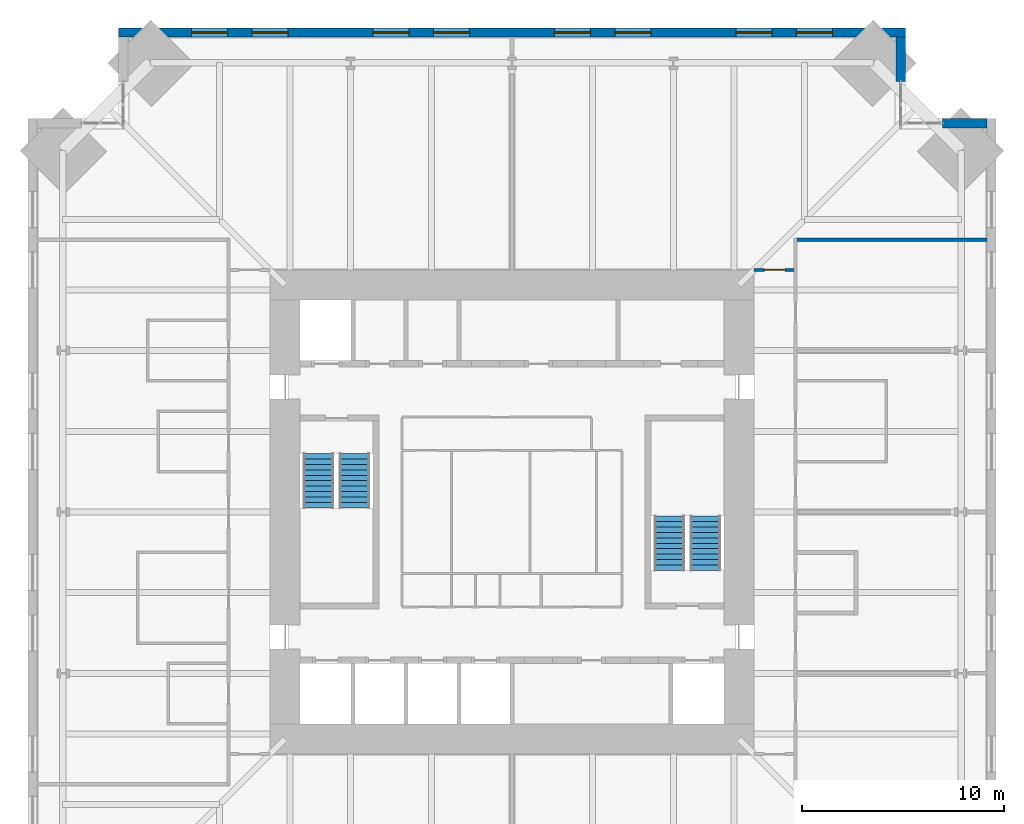
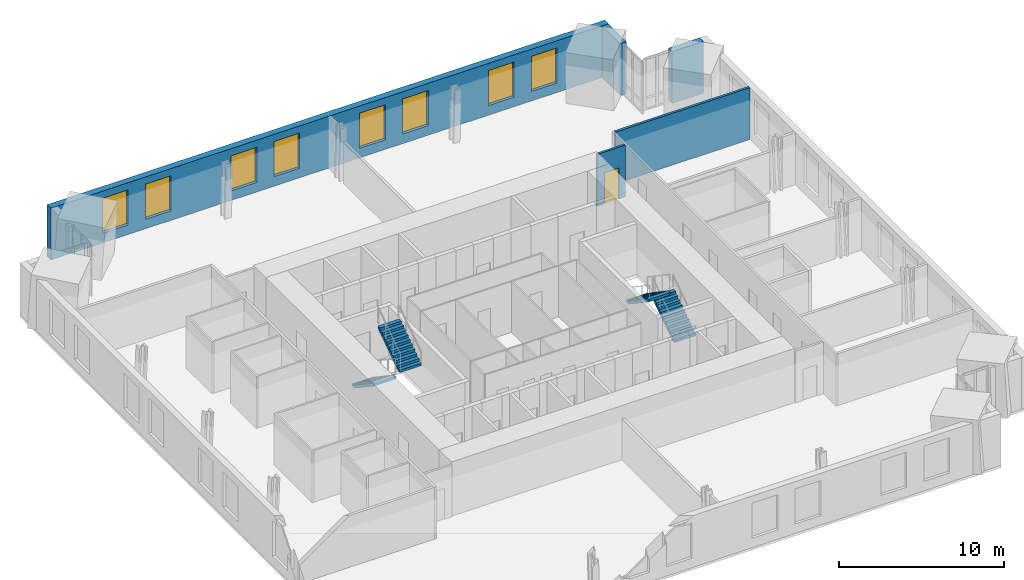
# One storey, part 14 of 15: 8 windows, 5 walls, 4 stair flights, 1 door, 9 openings, 2 elements without a shape of their own.
"""IFC4 building model written with IfcOpenShell, lengths in metres."""

from ifc_helpers import new_model, si_unit, direction, frame, frame_2d, origin, place, context, subcontext, project, spatial, polyline, rectangle, outline, extrude, material, layer, layer_set, type_object, element, fill, aggregate, save


model = new_model("IFC4")

# Units and contexts
model_context = context("Model", 3, precision=1e-05, world=origin(), true_north=direction((0.0, 1.0)))
body_context = subcontext(model_context, "Body", "Model", "MODEL_VIEW")
ifc_project = project(units=[si_unit("LENGTHUNIT", "METRE"), si_unit("AREAUNIT", "SQUARE_METRE"), si_unit("VOLUMEUNIT", "CUBIC_METRE"), si_unit("PLANEANGLEUNIT", "RADIAN"), si_unit("MASSUNIT", "GRAM", prefix="KILO")], contexts=[model_context])

# Site, building, storey
site_placement = place(None, origin())
site = spatial("IfcSite", under=ifc_project, at=site_placement, CompositionType="ELEMENT")
building_placement = place(site_placement, origin())
building = spatial("IfcBuilding", under=site, at=building_placement, Name="Peilmerk Tower", CompositionType="ELEMENT")
storey_placement = place(building_placement, frame((0.0, 0.0, 213.800048828125)))
storey = spatial("IfcBuildingStorey", under=building, at=storey_placement, Name="L46", CompositionType="ELEMENT", Elevation=213.800048828125)

# Wall, openings, windows
ifc_material_1 = material(Name="Precast concrete C45/55, board-marked finish", Category="concrete")
ifc_layer_1 = layer(ifc_material_1, 0.449951171875)
ifc_layer_set_1 = layer_set([ifc_layer_1], Name="Precast concrete C45/55, board-marked finish")
wall_type_1 = type_object("IfcWallType", Name="EW1 450 precast concrete facade wall, board-marked", PredefinedType="SOLIDWALL", material=ifc_layer_set_1)
wall_1_placement = place(storey_placement, frame((19.5, 23.77490234375, 0.0), z_axis=(0.0, 0.0, 1.0), x_axis=(-1.0, 0.0, 0.0)))
wall_1 = element("IfcWall", 1, at=wall_1_placement, inside=storey, type_object=wall_type_1, Name="Facade wall N L46", PredefinedType="SOLIDWALL", context=body_context, shape_type="SweptSolid", body=[
    extrude(rectangle(XDim=39.0, YDim=0.449951171875, at=frame_2d((19.5, 0.0))), origin(), (0.0, 0.0, 1.0), 3.829833984375),
])
opening_1_placement = place(wall_1_placement, frame((3.60009765625, 0.0, 0.699951171875)))
opening_1 = element("IfcOpeningElement", 2, at=opening_1_placement, cuts=wall_1, Name="Opening W1", PredefinedType="OPENING", context=body_context, shape_type="SweptSolid", body=[
    extrude(rectangle(XDim=1.800048828125, YDim=2.60009765625, at=frame_2d((0.89990234375, 1.300048828125))), frame((0.0, 0.23486328125, 0.0), z_axis=(0.0, -1.0, 0.0), x_axis=(1.0, 0.0, 0.0)), (0.0, 0.0, 1.0), 0.469970703125),
])
opening_2_placement = place(wall_1_placement, frame((6.60009765625, 0.0, 0.699951171875)))
opening_2 = element("IfcOpeningElement", 3, at=opening_2_placement, cuts=wall_1, Name="Opening W1", PredefinedType="OPENING", context=body_context, shape_type="SweptSolid", body=[
    extrude(rectangle(XDim=1.800048828125, YDim=2.60009765625, at=frame_2d((0.89990234375, 1.300048828125))), frame((0.0, 0.23486328125, 0.0), z_axis=(0.0, -1.0, 0.0), x_axis=(1.0, 0.0, 0.0)), (0.0, 0.0, 1.0), 0.469970703125),
])
opening_3_placement = place(wall_1_placement, frame((12.60009765625, 0.0, 0.699951171875)))
opening_3 = element("IfcOpeningElement", 4, at=opening_3_placement, cuts=wall_1, Name="Opening W1", PredefinedType="OPENING", context=body_context, shape_type="SweptSolid", body=[
    extrude(rectangle(XDim=1.800048828125, YDim=2.60009765625, at=frame_2d((0.89990234375, 1.300048828125))), frame((0.0, 0.23486328125, 0.0), z_axis=(0.0, -1.0, 0.0), x_axis=(1.0, 0.0, 0.0)), (0.0, 0.0, 1.0), 0.469970703125),
])
opening_4_placement = place(wall_1_placement, frame((15.60009765625, 0.0, 0.699951171875)))
opening_4 = element("IfcOpeningElement", 5, at=opening_4_placement, cuts=wall_1, Name="Opening W1", PredefinedType="OPENING", context=body_context, shape_type="SweptSolid", body=[
    extrude(rectangle(XDim=1.800048828125, YDim=2.60009765625, at=frame_2d((0.89990234375, 1.300048828125))), frame((0.0, 0.23486328125, 0.0), z_axis=(0.0, -1.0, 0.0), x_axis=(1.0, 0.0, 0.0)), (0.0, 0.0, 1.0), 0.469970703125),
])
opening_5_placement = place(wall_1_placement, frame((21.60009765625, 0.0, 0.699951171875)))
opening_5 = element("IfcOpeningElement", 6, at=opening_5_placement, cuts=wall_1, Name="Opening W1", PredefinedType="OPENING", context=body_context, shape_type="SweptSolid", body=[
    extrude(rectangle(XDim=1.800048828125, YDim=2.60009765625, at=frame_2d((0.89990234375, 1.300048828125))), frame((0.0, 0.23486328125, 0.0), z_axis=(0.0, -1.0, 0.0), x_axis=(1.0, 0.0, 0.0)), (0.0, 0.0, 1.0), 0.469970703125),
])
opening_6_placement = place(wall_1_placement, frame((24.60009765625, 0.0, 0.699951171875)))
opening_6 = element("IfcOpeningElement", 7, at=opening_6_placement, cuts=wall_1, Name="Opening W1", PredefinedType="OPENING", context=body_context, shape_type="SweptSolid", body=[
    extrude(rectangle(XDim=1.800048828125, YDim=2.60009765625, at=frame_2d((0.89990234375, 1.300048828125))), frame((0.0, 0.23486328125, 0.0), z_axis=(0.0, -1.0, 0.0), x_axis=(1.0, 0.0, 0.0)), (0.0, 0.0, 1.0), 0.469970703125),
])
opening_7_placement = place(wall_1_placement, frame((30.60009765625, 0.0, 0.699951171875)))
opening_7 = element("IfcOpeningElement", 8, at=opening_7_placement, cuts=wall_1, Name="Opening W1", PredefinedType="OPENING", context=body_context, shape_type="SweptSolid", body=[
    extrude(rectangle(XDim=1.800048828125, YDim=2.60009765625, at=frame_2d((0.89990234375, 1.300048828125))), frame((0.0, 0.23486328125, 0.0), z_axis=(0.0, -1.0, 0.0), x_axis=(1.0, 0.0, 0.0)), (0.0, 0.0, 1.0), 0.469970703125),
])
opening_8_placement = place(wall_1_placement, frame((33.60009765625, 0.0, 0.699951171875)))
opening_8 = element("IfcOpeningElement", 9, at=opening_8_placement, cuts=wall_1, Name="Opening W1", PredefinedType="OPENING", context=body_context, shape_type="SweptSolid", body=[
    extrude(rectangle(XDim=1.800048828125, YDim=2.60009765625, at=frame_2d((0.89990234375, 1.300048828125))), frame((0.0, 0.23486328125, 0.0), z_axis=(0.0, -1.0, 0.0), x_axis=(1.0, 0.0, 0.0)), (0.0, 0.0, 1.0), 0.469970703125),
])
ifc_material_2 = material(Name="Aluminium frame, clear double glazing", Category="aluminium")
window_type = type_object("IfcWindowType", Name="W1 1800x2600 office window", PartitioningType="SINGLE_PANEL", PredefinedType="WINDOW", material=ifc_material_2)
window_1_placement = place(opening_1_placement, origin())
window_1 = element("IfcWindow", 10, at=window_1_placement, inside=storey, type_object=window_type, Name="Window W1 L46", OverallHeight=2.60009765625, OverallWidth=1.800048828125, PartitioningType="SINGLE_PANEL", PredefinedType="WINDOW", context=body_context, shape_type="SweptSolid", body=[
    extrude(rectangle(XDim=1.800048828125, YDim=2.60009765625, at=frame_2d((0.89990234375, 1.300048828125))), frame((0.0, 0.030029296875, 0.0), z_axis=(0.0, -1.0, 0.0), x_axis=(1.0, 0.0, 0.0)), (0.0, 0.0, 1.0), 0.06005859375),
])
fill(opening_1, window_1)
window_2_placement = place(opening_2_placement, origin())
window_2 = element("IfcWindow", 11, at=window_2_placement, inside=storey, type_object=window_type, Name="Window W1 L46", OverallHeight=2.60009765625, OverallWidth=1.800048828125, PartitioningType="SINGLE_PANEL", PredefinedType="WINDOW", context=body_context, shape_type="SweptSolid", body=[
    extrude(rectangle(XDim=1.800048828125, YDim=2.60009765625, at=frame_2d((0.89990234375, 1.300048828125))), frame((0.0, 0.030029296875, 0.0), z_axis=(0.0, -1.0, 0.0), x_axis=(1.0, 0.0, 0.0)), (0.0, 0.0, 1.0), 0.06005859375),
])
fill(opening_2, window_2)
window_3_placement = place(opening_3_placement, origin())
window_3 = element("IfcWindow", 12, at=window_3_placement, inside=storey, type_object=window_type, Name="Window W1 L46", OverallHeight=2.60009765625, OverallWidth=1.800048828125, PartitioningType="SINGLE_PANEL", PredefinedType="WINDOW", context=body_context, shape_type="SweptSolid", body=[
    extrude(rectangle(XDim=1.800048828125, YDim=2.60009765625, at=frame_2d((0.89990234375, 1.300048828125))), frame((0.0, 0.030029296875, 0.0), z_axis=(0.0, -1.0, 0.0), x_axis=(1.0, 0.0, 0.0)), (0.0, 0.0, 1.0), 0.06005859375),
])
fill(opening_3, window_3)
window_4_placement = place(opening_4_placement, origin())
window_4 = element("IfcWindow", 13, at=window_4_placement, inside=storey, type_object=window_type, Name="Window W1 L46", OverallHeight=2.60009765625, OverallWidth=1.800048828125, PartitioningType="SINGLE_PANEL", PredefinedType="WINDOW", context=body_context, shape_type="SweptSolid", body=[
    extrude(rectangle(XDim=1.800048828125, YDim=2.60009765625, at=frame_2d((0.89990234375, 1.300048828125))), frame((0.0, 0.030029296875, 0.0), z_axis=(0.0, -1.0, 0.0), x_axis=(1.0, 0.0, 0.0)), (0.0, 0.0, 1.0), 0.06005859375),
])
fill(opening_4, window_4)
window_5_placement = place(opening_5_placement, origin())
window_5 = element("IfcWindow", 14, at=window_5_placement, inside=storey, type_object=window_type, Name="Window W1 L46", OverallHeight=2.60009765625, OverallWidth=1.800048828125, PartitioningType="SINGLE_PANEL", PredefinedType="WINDOW", context=body_context, shape_type="SweptSolid", body=[
    extrude(rectangle(XDim=1.800048828125, YDim=2.60009765625, at=frame_2d((0.89990234375, 1.300048828125))), frame((0.0, 0.030029296875, 0.0), z_axis=(0.0, -1.0, 0.0), x_axis=(1.0, 0.0, 0.0)), (0.0, 0.0, 1.0), 0.06005859375),
])
fill(opening_5, window_5)
window_6_placement = place(opening_6_placement, origin())
window_6 = element("IfcWindow", 15, at=window_6_placement, inside=storey, type_object=window_type, Name="Window W1 L46", OverallHeight=2.60009765625, OverallWidth=1.800048828125, PartitioningType="SINGLE_PANEL", PredefinedType="WINDOW", context=body_context, shape_type="SweptSolid", body=[
    extrude(rectangle(XDim=1.800048828125, YDim=2.60009765625, at=frame_2d((0.89990234375, 1.300048828125))), frame((0.0, 0.030029296875, 0.0), z_axis=(0.0, -1.0, 0.0), x_axis=(1.0, 0.0, 0.0)), (0.0, 0.0, 1.0), 0.06005859375),
])
fill(opening_6, window_6)
window_7_placement = place(opening_7_placement, origin())
window_7 = element("IfcWindow", 16, at=window_7_placement, inside=storey, type_object=window_type, Name="Window W1 L46", OverallHeight=2.60009765625, OverallWidth=1.800048828125, PartitioningType="SINGLE_PANEL", PredefinedType="WINDOW", context=body_context, shape_type="SweptSolid", body=[
    extrude(rectangle(XDim=1.800048828125, YDim=2.60009765625, at=frame_2d((0.89990234375, 1.300048828125))), frame((0.0, 0.030029296875, 0.0), z_axis=(0.0, -1.0, 0.0), x_axis=(1.0, 0.0, 0.0)), (0.0, 0.0, 1.0), 0.06005859375),
])
fill(opening_7, window_7)
window_8_placement = place(opening_8_placement, origin())
window_8 = element("IfcWindow", 17, at=window_8_placement, inside=storey, type_object=window_type, Name="Window W1 L46", OverallHeight=2.60009765625, OverallWidth=1.800048828125, PartitioningType="SINGLE_PANEL", PredefinedType="WINDOW", context=body_context, shape_type="SweptSolid", body=[
    extrude(rectangle(XDim=1.800048828125, YDim=2.60009765625, at=frame_2d((0.89990234375, 1.300048828125))), frame((0.0, 0.030029296875, 0.0), z_axis=(0.0, -1.0, 0.0), x_axis=(1.0, 0.0, 0.0)), (0.0, 0.0, 1.0), 0.06005859375),
])
fill(opening_8, window_8)

# Walls
for number, where, z_axis, x_axis, name in (
    (18, (19.27490234375, 21.353759765625, 0.0), (0.0, 0.0, 1.0), (0.0, 1.0, 0.0), "Facade wall NEA L46"),
    (19, (21.353759765625, 19.27490234375, 0.0), (0.0, 0.0, 1.0), (1.0, 0.0, 0.0), "Facade wall NEB L46"),
):
    element("IfcWall", number, at=place(storey_placement, frame(where, z_axis=z_axis, x_axis=x_axis)), inside=storey, type_object=wall_type_1, Name=name, PredefinedType="SOLIDWALL", context=body_context, shape_type="SweptSolid", body=[
        extrude(rectangle(XDim=2.1962890625, YDim=0.449951171875, at=frame_2d((1.09814453125, 0.0))), origin(), (0.0, 0.0, 1.0), 3.829833984375),
    ])

# Wall, opening, door
ifc_material_3 = material(Name="Calcium silicate block", Category="masonry")
ifc_layer_2 = layer(ifc_material_3, 0.14990234375)
ifc_layer_set_2 = layer_set([ifc_layer_2], Name="Calcium silicate block")
wall_type_2 = type_object("IfcWallType", Name="IW1 150 corridor partition, EI 60", PredefinedType="PARTITIONING", material=ifc_layer_set_2)
wall_2_placement = place(storey_placement, frame((12.0, 12.0, 0.0), z_axis=(0.0, 0.0, 1.0), x_axis=(1.0, 0.0, 0.0)))
wall_2 = element("IfcWall", 20, at=wall_2_placement, inside=storey, type_object=wall_type_2, Name="Corridor wall NE L46", PredefinedType="PARTITIONING", context=body_context, shape_type="SweptSolid", body=[
    extrude(rectangle(XDim=1.97509765625, YDim=0.14990234375, at=frame_2d((0.987548828125, 0.0))), origin(), (0.0, 0.0, 1.0), 3.829833984375),
])
opening_9_placement = place(wall_2_placement, frame((0.52490234375, 0.0, 0.0)))
opening_9 = element("IfcOpeningElement", 21, at=opening_9_placement, cuts=wall_2, Name="Opening D1", PredefinedType="OPENING", context=body_context, shape_type="SweptSolid", body=[
    extrude(rectangle(XDim=1.0, YDim=2.300048828125, at=frame_2d((0.5, 1.14990234375))), frame((0.0, 0.0849609375, 0.0), z_axis=(0.0, -1.0, 0.0), x_axis=(1.0, 0.0, 0.0)), (0.0, 0.0, 1.0), 0.169921875),
])
ifc_material_4 = material(Name="Timber door in steel frame", Category="steel")
door_type = type_object("IfcDoorType", Name="D1 1000x2300 room door, EI2 30", OperationType="SINGLE_SWING_LEFT", PredefinedType="DOOR", material=ifc_material_4)
door_placement = place(opening_9_placement, origin())
door = element("IfcDoor", 22, at=door_placement, inside=storey, type_object=door_type, Name="Door Project room L46", OperationType="SINGLE_SWING_LEFT", OverallHeight=2.300048828125, OverallWidth=1.0, PredefinedType="DOOR", context=body_context, shape_type="SweptSolid", body=[
    extrude(rectangle(XDim=1.0, YDim=2.300048828125, at=frame_2d((0.5, 1.14990234375))), frame((0.0, 0.02490234375, 0.0), z_axis=(0.0, -1.0, 0.0), x_axis=(1.0, 0.0, 0.0)), (0.0, 0.0, 1.0), 0.050048828125),
])
fill(opening_9, door)

# Wall
ifc_layer_3 = layer(ifc_material_3, 0.175048828125)
ifc_layer_set_3 = layer_set([ifc_layer_3], Name="Calcium silicate block")
wall_type_3 = type_object("IfcWallType", Name="IW8 175 tenant separating wall, EI 60", PredefinedType="PARTITIONING", material=ifc_layer_set_3)
wall_3_placement = place(storey_placement, frame((14.125, 13.5, 0.0), z_axis=(0.0, 0.0, 1.0), x_axis=(1.0, 0.0, 0.0)))
element("IfcWall", 23, at=wall_3_placement, inside=storey, type_object=wall_type_3, Name="Tenant separating wall NE L46", PredefinedType="PARTITIONING", context=body_context, shape_type="SweptSolid", body=[
    extrude(rectangle(XDim=9.425048828125, YDim=0.175048828125, at=frame_2d((4.71240234375, 0.0))), origin(), (0.0, 0.0, 1.0), 3.829833984375),
])

# Stair, stair flights
ifc_material_5 = material(Name="Precast concrete C45/55", Category="concrete")
stair_type_1 = type_object("IfcStairType", Name="ST1 22 risers of 181.8", PredefinedType="HALF_TURN_STAIR", material=ifc_material_5)
stair_1_placement = place(storey_placement, origin())
stair_1 = element("IfcStair", 24, at=stair_1_placement, inside=storey, type_object=stair_type_1, Name="Stair 1 L46 to L47", PredefinedType="HALF_TURN_STAIR")
stair_flight_type = type_object("IfcStairFlightType", Name="SF11 flight, 11 risers of 181.8", PredefinedType="STRAIGHT", material=ifc_material_5)
stair_flight_1_placement = place(storey_placement, frame((-9.60009765625, 2.89990234375, 0.0), z_axis=(0.0, 0.0, 1.0), x_axis=(0.0, -1.0, 0.0)))
stair_flight_1 = element("IfcStairFlight", 25, at=stair_flight_1_placement, type_object=stair_flight_type, Name="ST1 flight 1", NumberOfRisers=11, NumberOfTreads=10, PredefinedType="STRAIGHT", RiserHeight=0.181818182, TreadLength=0.27, context=body_context, shape_type="SweptSolid", body=[
    extrude(outline(polyline([(0.0, 0.0), (0.0, 0.181884765625), (0.27001953125, 0.181884765625), (0.27001953125, 0.363525390625), (0.5400390625, 0.363525390625), (0.5400390625, 0.54541015625), (0.81005859375, 0.54541015625), (0.81005859375, 0.727294921875), (1.080078125, 0.727294921875), (1.080078125, 0.9091796875), (1.35009765625, 0.9091796875), (1.35009765625, 1.0908203125), (1.6201171875, 1.0908203125), (1.6201171875, 1.272705078125), (1.889892578125, 1.272705078125), (1.889892578125, 1.45458984375), (2.159912109375, 1.45458984375), (2.159912109375, 1.636474609375), (2.429931640625, 1.636474609375), (2.429931640625, 1.818115234375), (2.699951171875, 1.818115234375), (2.699951171875, 2.0), (2.699951171875, 1.637451171875), (0.268310546875, 0.0), (0.0, 0.0)])), frame((0.0, 0.75, 0.0), z_axis=(0.0, -1.0, 0.0), x_axis=(1.0, 0.0, 0.0)), (0.0, 0.0, 1.0), 1.5),
])
stair_flight_2_placement = place(storey_placement, frame((-7.800048828125, 0.199951171875, 2.0), z_axis=(0.0, 0.0, 1.0), x_axis=(0.0, 1.0, 0.0)))
stair_flight_2 = element("IfcStairFlight", 26, at=stair_flight_2_placement, type_object=stair_flight_type, Name="ST1 flight 2", NumberOfRisers=11, NumberOfTreads=10, PredefinedType="STRAIGHT", RiserHeight=0.181818182, TreadLength=0.27, context=body_context, shape_type="SweptSolid", body=[
    extrude(outline(polyline([(0.0, 0.0), (0.0, 0.181884765625), (0.27001953125, 0.181884765625), (0.27001953125, 0.363525390625), (0.5400390625, 0.363525390625), (0.5400390625, 0.54541015625), (0.81005859375, 0.54541015625), (0.81005859375, 0.727294921875), (1.080078125, 0.727294921875), (1.080078125, 0.9091796875), (1.35009765625, 0.9091796875), (1.35009765625, 1.0908203125), (1.6201171875, 1.0908203125), (1.6201171875, 1.272705078125), (1.889892578125, 1.272705078125), (1.889892578125, 1.45458984375), (2.159912109375, 1.45458984375), (2.159912109375, 1.636474609375), (2.429931640625, 1.636474609375), (2.429931640625, 1.818115234375), (2.699951171875, 1.818115234375), (2.699951171875, 2.0), (2.699951171875, 1.637451171875), (0.268310546875, 0.0), (0.0, 0.0)])), frame((0.0, 0.75, 0.0), z_axis=(0.0, -1.0, 0.0), x_axis=(1.0, 0.0, 0.0)), (0.0, 0.0, 1.0), 1.5),
])
aggregate(stair_1, [stair_flight_1, stair_flight_2])

stair_type_2 = type_object("IfcStairType", Name="ST2 22 risers of 181.8", PredefinedType="HALF_TURN_STAIR", material=ifc_material_5)
stair_2_placement = place(storey_placement, origin())
stair_2 = element("IfcStair", 27, at=stair_2_placement, inside=storey, type_object=stair_type_2, Name="Stair 2 L46 to L47", PredefinedType="HALF_TURN_STAIR")
stair_flight_3_placement = place(storey_placement, frame((9.60009765625, -2.89990234375, 0.0), z_axis=(0.0, 0.0, 1.0), x_axis=(0.0, 1.0, 0.0)))
stair_flight_3 = element("IfcStairFlight", 28, at=stair_flight_3_placement, type_object=stair_flight_type, Name="ST2 flight 1", NumberOfRisers=11, NumberOfTreads=10, PredefinedType="STRAIGHT", RiserHeight=0.181818182, TreadLength=0.27, context=body_context, shape_type="SweptSolid", body=[
    extrude(outline(polyline([(0.0, 0.0), (0.0, 0.181884765625), (0.27001953125, 0.181884765625), (0.27001953125, 0.363525390625), (0.5400390625, 0.363525390625), (0.5400390625, 0.54541015625), (0.81005859375, 0.54541015625), (0.81005859375, 0.727294921875), (1.080078125, 0.727294921875), (1.080078125, 0.9091796875), (1.35009765625, 0.9091796875), (1.35009765625, 1.0908203125), (1.6201171875, 1.0908203125), (1.6201171875, 1.272705078125), (1.889892578125, 1.272705078125), (1.889892578125, 1.45458984375), (2.159912109375, 1.45458984375), (2.159912109375, 1.636474609375), (2.429931640625, 1.636474609375), (2.429931640625, 1.818115234375), (2.699951171875, 1.818115234375), (2.699951171875, 2.0), (2.699951171875, 1.637451171875), (0.268310546875, 0.0), (0.0, 0.0)])), frame((0.0, 0.75, 0.0), z_axis=(0.0, -1.0, 0.0), x_axis=(1.0, 0.0, 0.0)), (0.0, 0.0, 1.0), 1.5),
])
stair_flight_4_placement = place(storey_placement, frame((7.800048828125, -0.199951171875, 2.0), z_axis=(0.0, 0.0, 1.0), x_axis=(0.0, -1.0, 0.0)))
stair_flight_4 = element("IfcStairFlight", 29, at=stair_flight_4_placement, type_object=stair_flight_type, Name="ST2 flight 2", NumberOfRisers=11, NumberOfTreads=10, PredefinedType="STRAIGHT", RiserHeight=0.181818182, TreadLength=0.27, context=body_context, shape_type="SweptSolid", body=[
    extrude(outline(polyline([(0.0, 0.0), (0.0, 0.181884765625), (0.27001953125, 0.181884765625), (0.27001953125, 0.363525390625), (0.5400390625, 0.363525390625), (0.5400390625, 0.54541015625), (0.81005859375, 0.54541015625), (0.81005859375, 0.727294921875), (1.080078125, 0.727294921875), (1.080078125, 0.9091796875), (1.35009765625, 0.9091796875), (1.35009765625, 1.0908203125), (1.6201171875, 1.0908203125), (1.6201171875, 1.272705078125), (1.889892578125, 1.272705078125), (1.889892578125, 1.45458984375), (2.159912109375, 1.45458984375), (2.159912109375, 1.636474609375), (2.429931640625, 1.636474609375), (2.429931640625, 1.818115234375), (2.699951171875, 1.818115234375), (2.699951171875, 2.0), (2.699951171875, 1.637451171875), (0.268310546875, 0.0), (0.0, 0.0)])), frame((0.0, 0.75, 0.0), z_axis=(0.0, -1.0, 0.0), x_axis=(1.0, 0.0, 0.0)), (0.0, 0.0, 1.0), 1.5),
])
aggregate(stair_2, [stair_flight_3, stair_flight_4])

save(model, "model.ifc")
